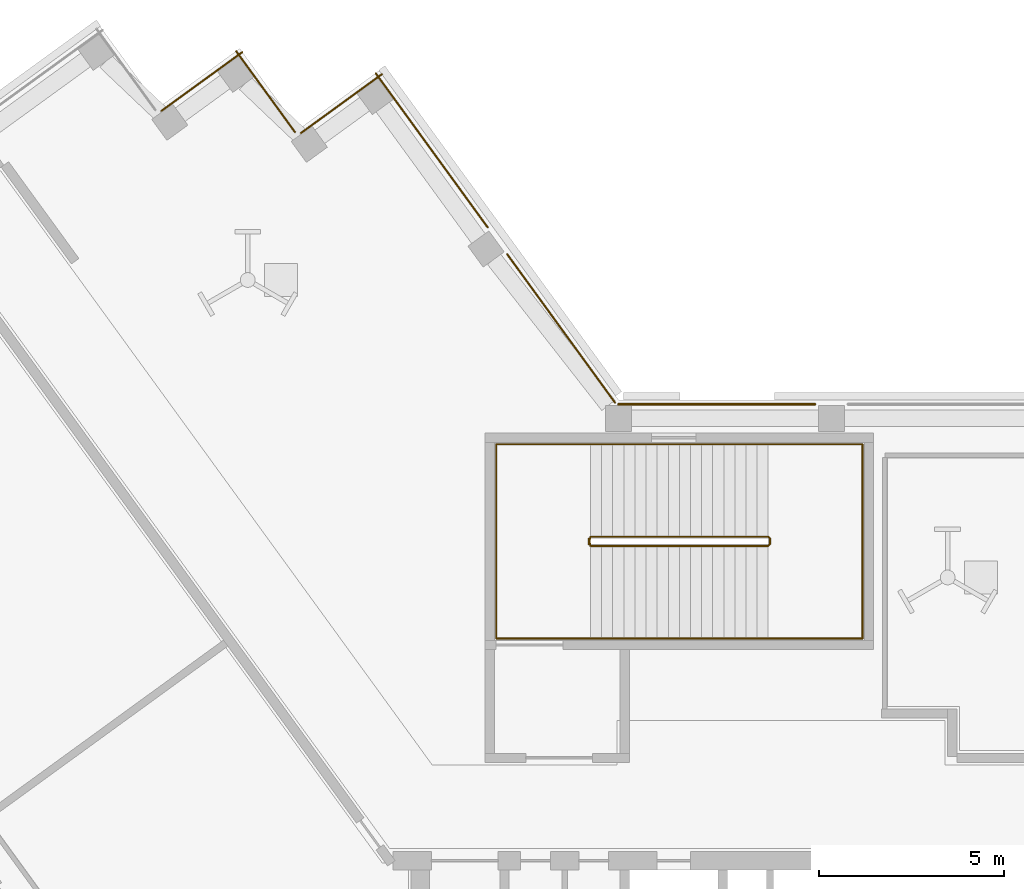
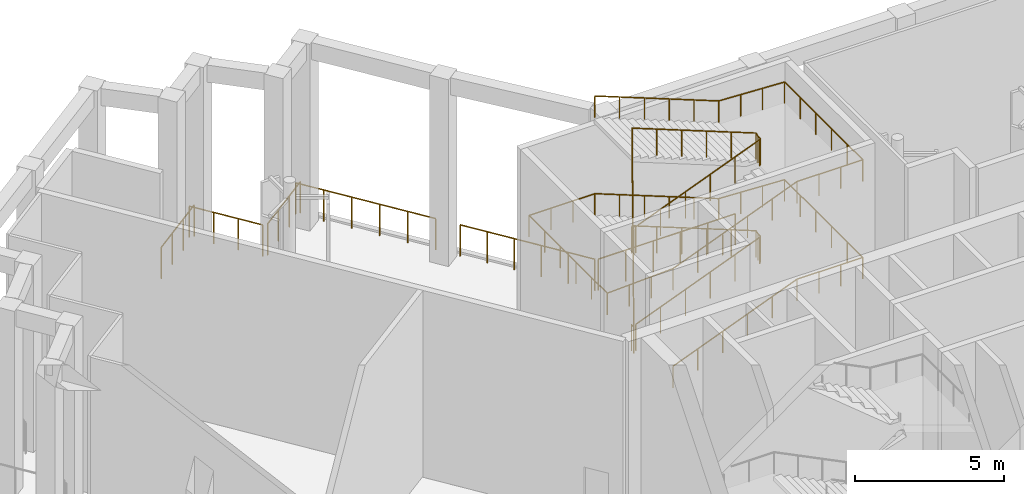
# One storey, part 8 of 12: 8 railings.
"""IFC4 building model written with IfcOpenShell, lengths in metres."""

from ifc_helpers import new_model, si_unit, direction, frame, origin, origin_2d, place, context, subcontext, project, spatial, circle, extrude, material, type_object, element, save


model = new_model("IFC4")

# Units and contexts
model_context = context("Model", 3, precision=1e-05, world=origin(), true_north=direction((0.0, 1.0)))
body_context = subcontext(model_context, "Body", "Model", "MODEL_VIEW")
ifc_project = project(units=[si_unit("LENGTHUNIT", "METRE"), si_unit("AREAUNIT", "SQUARE_METRE"), si_unit("VOLUMEUNIT", "CUBIC_METRE"), si_unit("PLANEANGLEUNIT", "RADIAN"), si_unit("MASSUNIT", "GRAM", prefix="KILO")], contexts=[model_context])

# Site, building, storey
site_placement = place(None, origin())
site = spatial("IfcSite", under=ifc_project, at=site_placement, CompositionType="ELEMENT")
building_placement = place(site_placement, origin())
building = spatial("IfcBuilding", under=site, at=building_placement, Name="Quipu Civic Tower", CompositionType="ELEMENT")
storey_placement = place(building_placement, frame((0.0, 0.0, 273.0)))
storey = spatial("IfcBuildingStorey", under=building, at=storey_placement, Name="L64", CompositionType="ELEMENT", Elevation=273.0)

# Railings
ifc_material_1 = material(Name="Steel S275", Category="steel")
railing_type_1 = type_object("IfcRailingType", Name="Slot perimeter guard G3", PredefinedType="GUARDRAIL", material=ifc_material_1)
railing_1_placement = place(storey_placement, frame((-14.4921875, 10.929443359375, 0.0)))
element("IfcRailing", 1, at=railing_1_placement, inside=storey, type_object=railing_type_1, Name="Slot guard L64.1", PredefinedType="GUARDRAIL", context=body_context, shape_type="SweptSolid", body=[
    extrude(circle(Radius=0.02490234375, at=origin_2d()), frame((0.0, 0.0, 1.27490234375), z_axis=(-0.587802132171, 0.809004730156, 0.0), x_axis=(-0.809004730156, -0.587802132171, 0.0)), (0.0, 0.0, 1.0), 4.9501953125),
    extrude(circle(Radius=0.02490234375, at=origin_2d()), origin(), (0.0, 0.0, 1.0), 1.25),
    extrude(circle(Radius=0.02490234375, at=origin_2d()), frame((-0.58203125, 0.801025390625, 0.0)), (0.0, 0.0, 1.0), 1.25),
    extrude(circle(Radius=0.02490234375, at=origin_2d()), frame((-1.163818359375, 1.601806640625, 0.0)), (0.0, 0.0, 1.0), 1.25),
    extrude(circle(Radius=0.02490234375, at=origin_2d()), frame((-1.745849609375, 2.40283203125, 0.0)), (0.0, 0.0, 1.0), 1.25),
    extrude(circle(Radius=0.02490234375, at=origin_2d()), frame((-2.32763671875, 3.20361328125, 0.0)), (0.0, 0.0, 1.0), 1.25),
    extrude(circle(Radius=0.02490234375, at=origin_2d()), frame((-2.90966796875, 4.004638671875, 0.0)), (0.0, 0.0, 1.0), 1.25),
])
railing_2_placement = place(storey_placement, frame((-17.930908203125, 15.662353515625, 0.0)))
element("IfcRailing", 2, at=railing_2_placement, inside=storey, type_object=railing_type_1, Name="Slot guard L64.2", PredefinedType="GUARDRAIL", context=body_context, shape_type="SweptSolid", body=[
    extrude(circle(Radius=0.02490234375, at=origin_2d()), frame((0.0, 0.0, 1.27490234375), z_axis=(-0.587790732133, 0.809013013009, 0.0), x_axis=(-0.809013013009, -0.587790732133, 0.0)), (0.0, 0.0, 1.0), 5.14501953125),
    extrude(circle(Radius=0.02490234375, at=origin_2d()), origin(), (0.0, 0.0, 1.0), 1.25),
    extrude(circle(Radius=0.02490234375, at=origin_2d()), frame((-0.604736328125, 0.83251953125, 0.0)), (0.0, 0.0, 1.0), 1.25),
    extrude(circle(Radius=0.02490234375, at=origin_2d()), frame((-1.209716796875, 1.6650390625, 0.0)), (0.0, 0.0, 1.0), 1.25),
    extrude(circle(Radius=0.02490234375, at=origin_2d()), frame((-1.814453125, 2.497314453125, 0.0)), (0.0, 0.0, 1.0), 1.25),
    extrude(circle(Radius=0.02490234375, at=origin_2d()), frame((-2.41943359375, 3.329833984375, 0.0)), (0.0, 0.0, 1.0), 1.25),
    extrude(circle(Radius=0.02490234375, at=origin_2d()), frame((-3.024169921875, 4.162353515625, 0.0)), (0.0, 0.0, 1.0), 1.25),
])
railing_3_placement = place(storey_placement, frame((-20.787353515625, 19.798095703125, 0.0)))
element("IfcRailing", 3, at=railing_3_placement, inside=storey, type_object=railing_type_1, Name="Slot guard L64.3", PredefinedType="GUARDRAIL", context=body_context, shape_type="SweptSolid", body=[
    extrude(circle(Radius=0.02490234375, at=origin_2d()), frame((0.0, 0.0, 1.27490234375), z_axis=(-0.809064397168, -0.587720002413, 0.0), x_axis=(0.587720002413, -0.809064397168, 0.0)), (0.0, 0.0, 1.0), 2.7001953125),
    extrude(circle(Radius=0.02490234375, at=origin_2d()), origin(), (0.0, 0.0, 1.0), 1.25),
    extrude(circle(Radius=0.02490234375, at=origin_2d()), frame((-0.728271484375, -0.529052734375, 0.0)), (0.0, 0.0, 1.0), 1.25),
    extrude(circle(Radius=0.02490234375, at=origin_2d()), frame((-1.456298828125, -1.057861328125, 0.0)), (0.0, 0.0, 1.0), 1.25),
    extrude(circle(Radius=0.02490234375, at=origin_2d()), frame((-2.1845703125, -1.5869140625, 0.0)), (0.0, 0.0, 1.0), 1.25),
])
railing_4_placement = place(storey_placement, frame((-23.139404296875, 18.23779296875, 0.0)))
element("IfcRailing", 4, at=railing_4_placement, inside=storey, type_object=railing_type_1, Name="Slot guard L64.4", PredefinedType="GUARDRAIL", context=body_context, shape_type="SweptSolid", body=[
    extrude(circle(Radius=0.02490234375, at=origin_2d()), frame((0.0, 0.0, 1.27490234375), z_axis=(-0.587822180636, 0.808990163075, 0.0), x_axis=(-0.808990163075, -0.587822180636, 0.0)), (0.0, 0.0, 1.0), 2.699951171875),
    extrude(circle(Radius=0.02490234375, at=origin_2d()), origin(), (0.0, 0.0, 1.0), 1.25),
    extrude(circle(Radius=0.02490234375, at=origin_2d()), frame((-0.529052734375, 0.72802734375, 0.0)), (0.0, 0.0, 1.0), 1.25),
    extrude(circle(Radius=0.02490234375, at=origin_2d()), frame((-1.05810546875, 1.456298828125, 0.0)), (0.0, 0.0, 1.0), 1.25),
    extrude(circle(Radius=0.02490234375, at=origin_2d()), frame((-1.587158203125, 2.184326171875, 0.0)), (0.0, 0.0, 1.0), 1.25),
])
railing_5_placement = place(storey_placement, frame((-24.558837890625, 20.3955078125, 0.0)))
element("IfcRailing", 5, at=railing_5_placement, inside=storey, type_object=railing_type_1, Name="Slot guard L64.5", PredefinedType="GUARDRAIL", context=body_context, shape_type="SweptSolid", body=[
    extrude(circle(Radius=0.02490234375, at=origin_2d()), frame((0.0, 0.0, 1.27490234375), z_axis=(-0.809033161865, -0.587762999008, 0.0), x_axis=(0.587762999008, -0.809033161865, 0.0)), (0.0, 0.0, 1.0), 2.699951171875),
    extrude(circle(Radius=0.02490234375, at=origin_2d()), origin(), (0.0, 0.0, 1.0), 1.25),
    extrude(circle(Radius=0.02490234375, at=origin_2d()), frame((-0.72802734375, -0.529052734375, 0.0)), (0.0, 0.0, 1.0), 1.25),
    extrude(circle(Radius=0.02490234375, at=origin_2d()), frame((-1.456298828125, -1.057861328125, 0.0)), (0.0, 0.0, 1.0), 1.25),
    extrude(circle(Radius=0.02490234375, at=origin_2d()), frame((-2.184326171875, -1.5869140625, 0.0)), (0.0, 0.0, 1.0), 1.25),
])
railing_6_placement = place(storey_placement, frame((-9.087158203125, 10.8798828125, 0.0)))
element("IfcRailing", 6, at=railing_6_placement, inside=storey, type_object=railing_type_1, Name="Slot guard L64.43", PredefinedType="GUARDRAIL", context=body_context, shape_type="SweptSolid", body=[
    extrude(circle(Radius=0.02490234375, at=origin_2d()), frame((0.0, 0.0, 1.27490234375), z_axis=(-1.0, 0.0, 0.0), x_axis=(0.0, -1.0, 0.0)), (0.0, 0.0, 1.0), 5.30810546875),
    extrude(circle(Radius=0.02490234375, at=origin_2d()), origin(), (0.0, 0.0, 1.0), 1.25),
    extrude(circle(Radius=0.02490234375, at=origin_2d()), frame((-1.0615234375, 0.0, 0.0)), (0.0, 0.0, 1.0), 1.25),
    extrude(circle(Radius=0.02490234375, at=origin_2d()), frame((-2.123291015625, 0.0, 0.0)), (0.0, 0.0, 1.0), 1.25),
    extrude(circle(Radius=0.02490234375, at=origin_2d()), frame((-3.184814453125, 0.0, 0.0)), (0.0, 0.0, 1.0), 1.25),
    extrude(circle(Radius=0.02490234375, at=origin_2d()), frame((-4.24658203125, 0.0, 0.0)), (0.0, 0.0, 1.0), 1.25),
    extrude(circle(Radius=0.02490234375, at=origin_2d()), frame((-5.30810546875, 0.0, 0.0)), (0.0, 0.0, 1.0), 1.25),
])
ifc_material_2 = material(Name="Stainless steel", Category="steel")
railing_type_2 = type_object("IfcRailingType", Name="Stair guard 1100", PredefinedType="GUARDRAIL", material=ifc_material_2)
railing_7_placement = place(storey_placement, frame((-15.14990234375, 7.050048828125, 0.11767578125)))
element("IfcRailing", 7, at=railing_7_placement, inside=storey, type_object=railing_type_2, Name="Stair 3 guard", PredefinedType="GUARDRAIL", context=body_context, shape_type="SweptSolid", body=[
    extrude(circle(Radius=0.02392578125, at=origin_2d()), frame((0.0, 0.0, 1.076171875), z_axis=(0.930970042603, 0.0, 0.365095576219), x_axis=(0.0, 1.0, 0.0)), (0.0, 0.0, 1.0), 5.15576171875),
    extrude(circle(Radius=0.02392578125, at=origin_2d()), frame((4.7998046875, 0.0, 2.95849609375), z_axis=(0.707106781187, 0.707106781187, 0.0), x_axis=(-0.707106781187, 0.707106781187, 0.0)), (0.0, 0.0, 1.0), 0.07080078125),
    extrude(circle(Radius=0.02392578125, at=origin_2d()), frame((4.849853515625, 0.050048828125, 2.95849609375), z_axis=(0.0, 1.0, 0.0), x_axis=(-1.0, 0.0, 0.0)), (0.0, 0.0, 1.0), 0.14990234375),
    extrude(circle(Radius=0.02392578125, at=origin_2d()), frame((4.849853515625, 0.199951171875, 2.95849609375), z_axis=(-0.364463019033, 0.364463019033, 0.856932561824), x_axis=(-0.707106781187, -0.707106781187, 0.0)), (0.0, 0.0, 1.0), 0.13720703125),
    extrude(circle(Radius=0.02392578125, at=origin_2d()), frame((4.7998046875, 0.25, 3.076171875), z_axis=(-0.930970042603, 0.0, 0.365095576219), x_axis=(0.0, -1.0, 0.0)), (0.0, 0.0, 1.0), 5.15576171875),
    extrude(circle(Radius=0.02392578125, at=origin_2d()), frame((0.0, 0.25, 4.95849609375), z_axis=(-0.242814311512, -0.970072785993, 0.0), x_axis=(0.970072785993, -0.242814311512, 0.0)), (0.0, 0.0, 1.0), 0.2060546875),
    extrude(circle(Radius=0.02392578125, at=origin_2d()), frame((-0.050048828125, 0.050048828125, 4.95849609375), z_axis=(0.0, 1.0, 0.0), x_axis=(-1.0, 0.0, 0.0)), (0.0, 0.0, 1.0), 0.14990234375),
    extrude(circle(Radius=0.02392578125, at=origin_2d()), frame((-0.050048828125, 0.199951171875, 4.95849609375), z_axis=(0.210868972508, -0.842447260898, 0.495799242677), x_axis=(0.970072785993, 0.242814311512, 0.0)), (0.0, 0.0, 1.0), 0.2373046875),
    extrude(circle(Radius=0.02392578125, at=origin_2d()), frame((0.0, 0.0, 5.076171875), z_axis=(0.930970042603, 0.0, 0.365095576219), x_axis=(0.0, 1.0, 0.0)), (0.0, 0.0, 1.0), 5.15576171875),
    extrude(circle(Radius=0.02392578125, at=origin_2d()), frame((4.7998046875, 0.0, 6.95849609375), z_axis=(0.707106781187, 0.707106781187, 0.0), x_axis=(-0.707106781187, 0.707106781187, 0.0)), (0.0, 0.0, 1.0), 0.07080078125),
    extrude(circle(Radius=0.02392578125, at=origin_2d()), frame((4.849853515625, 0.050048828125, 6.95849609375), z_axis=(0.0, 1.0, 0.0), x_axis=(-1.0, 0.0, 0.0)), (0.0, 0.0, 1.0), 0.14990234375),
    extrude(circle(Radius=0.02392578125, at=origin_2d()), frame((4.849853515625, 0.199951171875, 6.95849609375), z_axis=(-0.364463019033, 0.364463019033, 0.856932561824), x_axis=(-0.707106781187, -0.707106781187, 0.0)), (0.0, 0.0, 1.0), 0.13720703125),
    extrude(circle(Radius=0.02392578125, at=origin_2d()), frame((4.7998046875, 0.25, 7.076171875), z_axis=(-0.930970042603, 0.0, 0.365095576219), x_axis=(0.0, -1.0, 0.0)), (0.0, 0.0, 1.0), 5.15576171875),
    extrude(circle(Radius=0.02392578125, at=origin_2d()), frame((0.0, 0.25, 8.95849609375), z_axis=(-0.006254028043, -0.024985604717, -0.999668248315), x_axis=(0.970072785993, -0.242814311512, 0.0)), (0.0, 0.0, 1.0), 8.002685546875),
    extrude(circle(Radius=0.02392578125, at=origin_2d()), frame((-0.050048828125, 0.050048828125, 0.95849609375), z_axis=(0.0, 1.0, 0.0), x_axis=(-1.0, 0.0, 0.0)), (0.0, 0.0, 1.0), 0.14990234375),
    extrude(circle(Radius=0.02099609375, at=origin_2d()), origin(), (0.0, 0.0, 1.0), 1.052001953125),
    extrude(circle(Radius=0.02099609375, at=origin_2d()), frame((0.9599609375, 0.0, 0.37646484375)), (0.0, 0.0, 1.0), 1.052001953125),
    extrude(circle(Radius=0.02099609375, at=origin_2d()), frame((1.919921875, 0.0, 0.7529296875)), (0.0, 0.0, 1.0), 1.052001953125),
    extrude(circle(Radius=0.02099609375, at=origin_2d()), frame((2.8798828125, 0.0, 1.12939453125)), (0.0, 0.0, 1.0), 1.052001953125),
    extrude(circle(Radius=0.02099609375, at=origin_2d()), frame((3.83984375, 0.0, 1.505859375)), (0.0, 0.0, 1.0), 1.052001953125),
    extrude(circle(Radius=0.02099609375, at=origin_2d()), frame((4.7998046875, 0.0, 1.88232421875)), (0.0, 0.0, 1.0), 1.052001953125),
    extrude(circle(Radius=0.02099609375, at=origin_2d()), frame((4.849853515625, 0.050048828125, 1.88232421875)), (0.0, 0.0, 1.0), 1.052001953125),
    extrude(circle(Radius=0.02099609375, at=origin_2d()), frame((4.849853515625, 0.199951171875, 1.88232421875)), (0.0, 0.0, 1.0), 1.052001953125),
    extrude(circle(Radius=0.02099609375, at=origin_2d()), frame((4.7998046875, 0.25, 2.0)), (0.0, 0.0, 1.0), 1.052001953125),
    extrude(circle(Radius=0.02099609375, at=origin_2d()), frame((3.83984375, 0.25, 2.37646484375)), (0.0, 0.0, 1.0), 1.052001953125),
    extrude(circle(Radius=0.02099609375, at=origin_2d()), frame((2.8798828125, 0.25, 2.7529296875)), (0.0, 0.0, 1.0), 1.052001953125),
    extrude(circle(Radius=0.02099609375, at=origin_2d()), frame((1.919921875, 0.25, 3.12939453125)), (0.0, 0.0, 1.0), 1.052001953125),
    extrude(circle(Radius=0.02099609375, at=origin_2d()), frame((0.9599609375, 0.25, 3.505859375)), (0.0, 0.0, 1.0), 1.052001953125),
    extrude(circle(Radius=0.02099609375, at=origin_2d()), frame((0.0, 0.25, 3.88232421875)), (0.0, 0.0, 1.0), 1.052001953125),
    extrude(circle(Radius=0.02099609375, at=origin_2d()), frame((-0.050048828125, 0.050048828125, 3.88232421875)), (0.0, 0.0, 1.0), 1.052001953125),
    extrude(circle(Radius=0.02099609375, at=origin_2d()), frame((-0.050048828125, 0.199951171875, 3.88232421875)), (0.0, 0.0, 1.0), 1.052001953125),
    extrude(circle(Radius=0.02099609375, at=origin_2d()), frame((0.0, 0.0, 4.0)), (0.0, 0.0, 1.0), 1.052001953125),
    extrude(circle(Radius=0.02099609375, at=origin_2d()), frame((0.9599609375, 0.0, 4.37646484375)), (0.0, 0.0, 1.0), 1.052001953125),
    extrude(circle(Radius=0.02099609375, at=origin_2d()), frame((1.919921875, 0.0, 4.7529296875)), (0.0, 0.0, 1.0), 1.052001953125),
    extrude(circle(Radius=0.02099609375, at=origin_2d()), frame((2.8798828125, 0.0, 5.12939453125)), (0.0, 0.0, 1.0), 1.052001953125),
    extrude(circle(Radius=0.02099609375, at=origin_2d()), frame((3.83984375, 0.0, 5.505859375)), (0.0, 0.0, 1.0), 1.052001953125),
    extrude(circle(Radius=0.02099609375, at=origin_2d()), frame((4.7998046875, 0.0, 5.88232421875)), (0.0, 0.0, 1.0), 1.052001953125),
    extrude(circle(Radius=0.02099609375, at=origin_2d()), frame((4.849853515625, 0.050048828125, 5.88232421875)), (0.0, 0.0, 1.0), 1.052001953125),
    extrude(circle(Radius=0.02099609375, at=origin_2d()), frame((4.849853515625, 0.199951171875, 5.88232421875)), (0.0, 0.0, 1.0), 1.052001953125),
    extrude(circle(Radius=0.02099609375, at=origin_2d()), frame((4.7998046875, 0.25, 6.0)), (0.0, 0.0, 1.0), 1.052001953125),
    extrude(circle(Radius=0.02099609375, at=origin_2d()), frame((3.83984375, 0.25, 6.37646484375)), (0.0, 0.0, 1.0), 1.052001953125),
    extrude(circle(Radius=0.02099609375, at=origin_2d()), frame((2.8798828125, 0.25, 6.7529296875)), (0.0, 0.0, 1.0), 1.052001953125),
    extrude(circle(Radius=0.02099609375, at=origin_2d()), frame((1.919921875, 0.25, 7.12939453125)), (0.0, 0.0, 1.0), 1.052001953125),
    extrude(circle(Radius=0.02099609375, at=origin_2d()), frame((0.9599609375, 0.25, 7.505859375)), (0.0, 0.0, 1.0), 1.052001953125),
    extrude(circle(Radius=0.02099609375, at=origin_2d()), frame((0.0, 0.25, 7.88232421875)), (0.0, 0.0, 1.0), 1.052001953125),
    extrude(circle(Radius=0.02099609375, at=origin_2d()), frame((-0.007080078125, 0.221435546875, 6.739501953125)), (0.0, 0.0, 1.0), 1.052001953125),
    extrude(circle(Radius=0.02099609375, at=origin_2d()), frame((-0.014404296875, 0.19287109375, 5.5966796875)), (0.0, 0.0, 1.0), 1.052001953125),
    extrude(circle(Radius=0.02099609375, at=origin_2d()), frame((-0.021484375, 0.164306640625, 4.453857421875)), (0.0, 0.0, 1.0), 1.052001953125),
    extrude(circle(Radius=0.02099609375, at=origin_2d()), frame((-0.028564453125, 0.1357421875, 3.310791015625)), (0.0, 0.0, 1.0), 1.052001953125),
    extrude(circle(Radius=0.02099609375, at=origin_2d()), frame((-0.03564453125, 0.107177734375, 2.16796875)), (0.0, 0.0, 1.0), 1.052001953125),
    extrude(circle(Radius=0.02099609375, at=origin_2d()), frame((-0.04296875, 0.07861328125, 1.025146484375)), (0.0, 0.0, 1.0), 1.052001953125),
    extrude(circle(Radius=0.02099609375, at=origin_2d()), frame((-0.050048828125, 0.050048828125, -0.11767578125)), (0.0, 0.0, 1.0), 1.052001953125),
    extrude(circle(Radius=0.02099609375, at=origin_2d()), frame((-0.050048828125, 0.199951171875, -0.11767578125)), (0.0, 0.0, 1.0), 1.052001953125),
])
ifc_material_3 = material(Name="Stainless steel", Category="steel")
railing_type_3 = type_object("IfcRailingType", Name="Stair handrail", PredefinedType="HANDRAIL", material=ifc_material_3)
railing_8_placement = place(storey_placement, frame((-15.14990234375, 4.550048828125, 0.11767578125)))
element("IfcRailing", 8, at=railing_8_placement, inside=storey, type_object=railing_type_3, Name="Stair 3 handrail", PredefinedType="HANDRAIL", context=body_context, shape_type="SweptSolid", body=[
    extrude(circle(Radius=0.02392578125, at=origin_2d()), frame((0.0, 0.0, 0.8759765625), z_axis=(0.930970042603, 0.0, 0.365095576219), x_axis=(0.0, 1.0, 0.0)), (0.0, 0.0, 1.0), 5.15576171875),
    extrude(circle(Radius=0.02392578125, at=origin_2d()), frame((4.7998046875, 0.0, 2.75830078125), z_axis=(1.0, 0.0, 0.0), x_axis=(0.0, 1.0, 0.0)), (0.0, 0.0, 1.0), 2.550048828125),
    extrude(circle(Radius=0.02392578125, at=origin_2d()), frame((7.349853515625, 0.0, 2.75830078125), z_axis=(0.0, 1.0, 0.0), x_axis=(-1.0, 0.0, 0.0)), (0.0, 0.0, 1.0), 5.25),
    extrude(circle(Radius=0.02392578125, at=origin_2d()), frame((7.349853515625, 5.25, 2.75830078125), z_axis=(-0.998936948642, 0.0, 0.04609742549), x_axis=(0.0, -1.0, 0.0)), (0.0, 0.0, 1.0), 2.552734375),
    extrude(circle(Radius=0.02392578125, at=origin_2d()), frame((4.7998046875, 5.25, 2.8759765625), z_axis=(-0.930970042603, 0.0, 0.365095576219), x_axis=(0.0, -1.0, 0.0)), (0.0, 0.0, 1.0), 5.15576171875),
    extrude(circle(Radius=0.02392578125, at=origin_2d()), frame((0.0, 5.25, 4.75830078125), z_axis=(-1.0, 0.0, 0.0), x_axis=(0.0, -1.0, 0.0)), (0.0, 0.0, 1.0), 2.550048828125),
    extrude(circle(Radius=0.02392578125, at=origin_2d()), frame((-2.550048828125, 5.25, 4.75830078125), z_axis=(0.0, -1.0, 0.0), x_axis=(1.0, 0.0, 0.0)), (0.0, 0.0, 1.0), 5.25),
    extrude(circle(Radius=0.02392578125, at=origin_2d()), frame((-2.550048828125, 0.0, 4.75830078125), z_axis=(0.998936948642, 0.0, 0.04609742549), x_axis=(0.0, 1.0, 0.0)), (0.0, 0.0, 1.0), 2.552734375),
    extrude(circle(Radius=0.02392578125, at=origin_2d()), frame((0.0, 0.0, 4.8759765625), z_axis=(0.930970042603, 0.0, 0.365095576219), x_axis=(0.0, 1.0, 0.0)), (0.0, 0.0, 1.0), 5.15576171875),
    extrude(circle(Radius=0.02392578125, at=origin_2d()), frame((4.7998046875, 0.0, 6.75830078125), z_axis=(1.0, 0.0, 0.0), x_axis=(0.0, 1.0, 0.0)), (0.0, 0.0, 1.0), 2.550048828125),
    extrude(circle(Radius=0.02392578125, at=origin_2d()), frame((7.349853515625, 0.0, 6.75830078125), z_axis=(0.0, 1.0, 0.0), x_axis=(-1.0, 0.0, 0.0)), (0.0, 0.0, 1.0), 5.25),
    extrude(circle(Radius=0.02392578125, at=origin_2d()), frame((7.349853515625, 5.25, 6.75830078125), z_axis=(-0.998936948642, 0.0, 0.04609742549), x_axis=(0.0, -1.0, 0.0)), (0.0, 0.0, 1.0), 2.552734375),
    extrude(circle(Radius=0.02392578125, at=origin_2d()), frame((4.7998046875, 5.25, 6.8759765625), z_axis=(-0.930970042603, 0.0, 0.365095576219), x_axis=(0.0, -1.0, 0.0)), (0.0, 0.0, 1.0), 5.15576171875),
    extrude(circle(Radius=0.02099609375, at=origin_2d()), origin(), (0.0, 0.0, 1.0), 0.851806640625),
    extrude(circle(Radius=0.02099609375, at=origin_2d()), frame((0.9599609375, 0.0, 0.37646484375)), (0.0, 0.0, 1.0), 0.851806640625),
    extrude(circle(Radius=0.02099609375, at=origin_2d()), frame((1.919921875, 0.0, 0.7529296875)), (0.0, 0.0, 1.0), 0.851806640625),
    extrude(circle(Radius=0.02099609375, at=origin_2d()), frame((2.8798828125, 0.0, 1.12939453125)), (0.0, 0.0, 1.0), 0.851806640625),
    extrude(circle(Radius=0.02099609375, at=origin_2d()), frame((3.83984375, 0.0, 1.505859375)), (0.0, 0.0, 1.0), 0.851806640625),
    extrude(circle(Radius=0.02099609375, at=origin_2d()), frame((4.7998046875, 0.0, 1.88232421875)), (0.0, 0.0, 1.0), 0.851806640625),
    extrude(circle(Radius=0.02099609375, at=origin_2d()), frame((5.64990234375, 0.0, 1.88232421875)), (0.0, 0.0, 1.0), 0.851806640625),
    extrude(circle(Radius=0.02099609375, at=origin_2d()), frame((6.499755859375, 0.0, 1.88232421875)), (0.0, 0.0, 1.0), 0.851806640625),
    extrude(circle(Radius=0.02099609375, at=origin_2d()), frame((7.349853515625, 0.0, 1.88232421875)), (0.0, 0.0, 1.0), 0.851806640625),
    extrude(circle(Radius=0.02099609375, at=origin_2d()), frame((7.349853515625, 1.050048828125, 1.88232421875)), (0.0, 0.0, 1.0), 0.851806640625),
    extrude(circle(Radius=0.02099609375, at=origin_2d()), frame((7.349853515625, 2.10009765625, 1.88232421875)), (0.0, 0.0, 1.0), 0.851806640625),
    extrude(circle(Radius=0.02099609375, at=origin_2d()), frame((7.349853515625, 3.14990234375, 1.88232421875)), (0.0, 0.0, 1.0), 0.851806640625),
    extrude(circle(Radius=0.02099609375, at=origin_2d()), frame((7.349853515625, 4.199951171875, 1.88232421875)), (0.0, 0.0, 1.0), 0.851806640625),
    extrude(circle(Radius=0.02099609375, at=origin_2d()), frame((7.349853515625, 5.25, 1.88232421875)), (0.0, 0.0, 1.0), 0.851806640625),
    extrude(circle(Radius=0.02099609375, at=origin_2d()), frame((6.499755859375, 5.25, 1.921630859375)), (0.0, 0.0, 1.0), 0.851806640625),
    extrude(circle(Radius=0.02099609375, at=origin_2d()), frame((5.64990234375, 5.25, 1.960693359375)), (0.0, 0.0, 1.0), 0.851806640625),
    extrude(circle(Radius=0.02099609375, at=origin_2d()), frame((4.7998046875, 5.25, 2.0)), (0.0, 0.0, 1.0), 0.851806640625),
    extrude(circle(Radius=0.02099609375, at=origin_2d()), frame((3.83984375, 5.25, 2.37646484375)), (0.0, 0.0, 1.0), 0.851806640625),
    extrude(circle(Radius=0.02099609375, at=origin_2d()), frame((2.8798828125, 5.25, 2.7529296875)), (0.0, 0.0, 1.0), 0.851806640625),
    extrude(circle(Radius=0.02099609375, at=origin_2d()), frame((1.919921875, 5.25, 3.12939453125)), (0.0, 0.0, 1.0), 0.851806640625),
    extrude(circle(Radius=0.02099609375, at=origin_2d()), frame((0.9599609375, 5.25, 3.505859375)), (0.0, 0.0, 1.0), 0.851806640625),
    extrude(circle(Radius=0.02099609375, at=origin_2d()), frame((0.0, 5.25, 3.88232421875)), (0.0, 0.0, 1.0), 0.851806640625),
    extrude(circle(Radius=0.02099609375, at=origin_2d()), frame((-0.85009765625, 5.25, 3.88232421875)), (0.0, 0.0, 1.0), 0.851806640625),
    extrude(circle(Radius=0.02099609375, at=origin_2d()), frame((-1.699951171875, 5.25, 3.88232421875)), (0.0, 0.0, 1.0), 0.851806640625),
    extrude(circle(Radius=0.02099609375, at=origin_2d()), frame((-2.550048828125, 5.25, 3.88232421875)), (0.0, 0.0, 1.0), 0.851806640625),
    extrude(circle(Radius=0.02099609375, at=origin_2d()), frame((-2.550048828125, 4.199951171875, 3.88232421875)), (0.0, 0.0, 1.0), 0.851806640625),
    extrude(circle(Radius=0.02099609375, at=origin_2d()), frame((-2.550048828125, 3.14990234375, 3.88232421875)), (0.0, 0.0, 1.0), 0.851806640625),
    extrude(circle(Radius=0.02099609375, at=origin_2d()), frame((-2.550048828125, 2.10009765625, 3.88232421875)), (0.0, 0.0, 1.0), 0.851806640625),
    extrude(circle(Radius=0.02099609375, at=origin_2d()), frame((-2.550048828125, 1.050048828125, 3.88232421875)), (0.0, 0.0, 1.0), 0.851806640625),
    extrude(circle(Radius=0.02099609375, at=origin_2d()), frame((-2.550048828125, 0.0, 3.88232421875)), (0.0, 0.0, 1.0), 0.851806640625),
    extrude(circle(Radius=0.02099609375, at=origin_2d()), frame((-1.699951171875, 0.0, 3.921630859375)), (0.0, 0.0, 1.0), 0.851806640625),
    extrude(circle(Radius=0.02099609375, at=origin_2d()), frame((-0.85009765625, 0.0, 3.960693359375)), (0.0, 0.0, 1.0), 0.851806640625),
    extrude(circle(Radius=0.02099609375, at=origin_2d()), frame((0.0, 0.0, 4.0)), (0.0, 0.0, 1.0), 0.851806640625),
    extrude(circle(Radius=0.02099609375, at=origin_2d()), frame((0.9599609375, 0.0, 4.37646484375)), (0.0, 0.0, 1.0), 0.851806640625),
    extrude(circle(Radius=0.02099609375, at=origin_2d()), frame((1.919921875, 0.0, 4.7529296875)), (0.0, 0.0, 1.0), 0.851806640625),
    extrude(circle(Radius=0.02099609375, at=origin_2d()), frame((2.8798828125, 0.0, 5.12939453125)), (0.0, 0.0, 1.0), 0.851806640625),
    extrude(circle(Radius=0.02099609375, at=origin_2d()), frame((3.83984375, 0.0, 5.505859375)), (0.0, 0.0, 1.0), 0.851806640625),
    extrude(circle(Radius=0.02099609375, at=origin_2d()), frame((4.7998046875, 0.0, 5.88232421875)), (0.0, 0.0, 1.0), 0.851806640625),
    extrude(circle(Radius=0.02099609375, at=origin_2d()), frame((5.64990234375, 0.0, 5.88232421875)), (0.0, 0.0, 1.0), 0.851806640625),
    extrude(circle(Radius=0.02099609375, at=origin_2d()), frame((6.499755859375, 0.0, 5.88232421875)), (0.0, 0.0, 1.0), 0.851806640625),
    extrude(circle(Radius=0.02099609375, at=origin_2d()), frame((7.349853515625, 0.0, 5.88232421875)), (0.0, 0.0, 1.0), 0.851806640625),
    extrude(circle(Radius=0.02099609375, at=origin_2d()), frame((7.349853515625, 1.050048828125, 5.88232421875)), (0.0, 0.0, 1.0), 0.851806640625),
    extrude(circle(Radius=0.02099609375, at=origin_2d()), frame((7.349853515625, 2.10009765625, 5.88232421875)), (0.0, 0.0, 1.0), 0.851806640625),
    extrude(circle(Radius=0.02099609375, at=origin_2d()), frame((7.349853515625, 3.14990234375, 5.88232421875)), (0.0, 0.0, 1.0), 0.851806640625),
    extrude(circle(Radius=0.02099609375, at=origin_2d()), frame((7.349853515625, 4.199951171875, 5.88232421875)), (0.0, 0.0, 1.0), 0.851806640625),
    extrude(circle(Radius=0.02099609375, at=origin_2d()), frame((7.349853515625, 5.25, 5.88232421875)), (0.0, 0.0, 1.0), 0.851806640625),
    extrude(circle(Radius=0.02099609375, at=origin_2d()), frame((6.499755859375, 5.25, 5.921630859375)), (0.0, 0.0, 1.0), 0.851806640625),
    extrude(circle(Radius=0.02099609375, at=origin_2d()), frame((5.64990234375, 5.25, 5.960693359375)), (0.0, 0.0, 1.0), 0.851806640625),
    extrude(circle(Radius=0.02099609375, at=origin_2d()), frame((4.7998046875, 5.25, 6.0)), (0.0, 0.0, 1.0), 0.851806640625),
    extrude(circle(Radius=0.02099609375, at=origin_2d()), frame((3.83984375, 5.25, 6.37646484375)), (0.0, 0.0, 1.0), 0.851806640625),
    extrude(circle(Radius=0.02099609375, at=origin_2d()), frame((2.8798828125, 5.25, 6.7529296875)), (0.0, 0.0, 1.0), 0.851806640625),
    extrude(circle(Radius=0.02099609375, at=origin_2d()), frame((1.919921875, 5.25, 7.12939453125)), (0.0, 0.0, 1.0), 0.851806640625),
    extrude(circle(Radius=0.02099609375, at=origin_2d()), frame((0.9599609375, 5.25, 7.505859375)), (0.0, 0.0, 1.0), 0.851806640625),
    extrude(circle(Radius=0.02099609375, at=origin_2d()), frame((0.0, 5.25, 7.88232421875)), (0.0, 0.0, 1.0), 0.851806640625),
])

save(model, "model.ifc")
